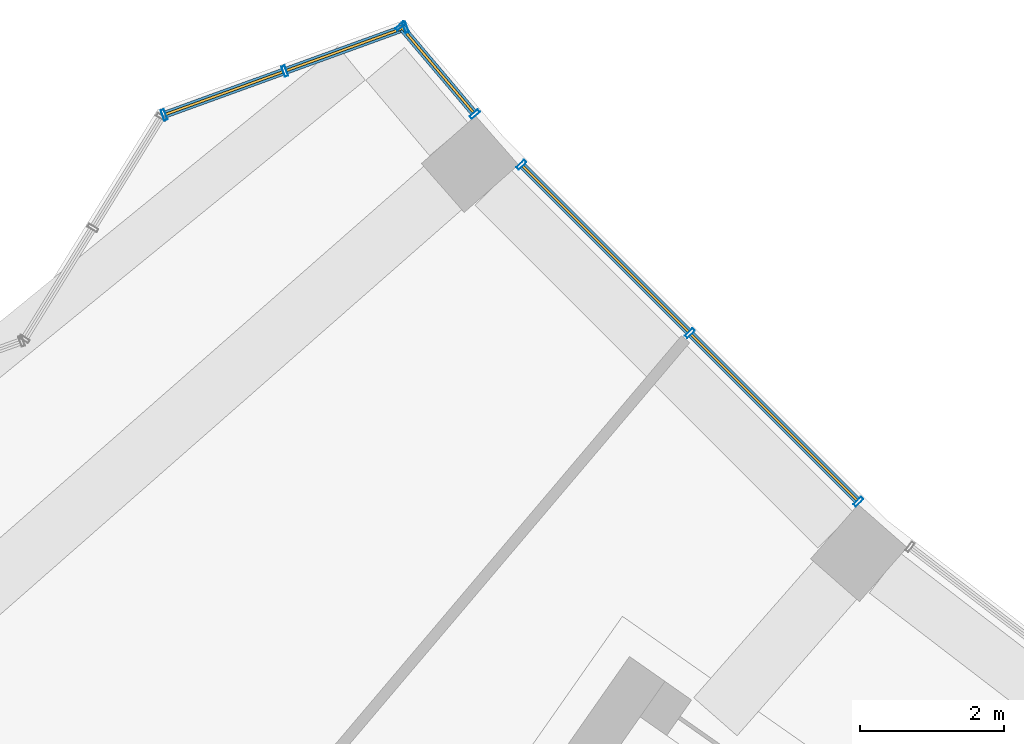
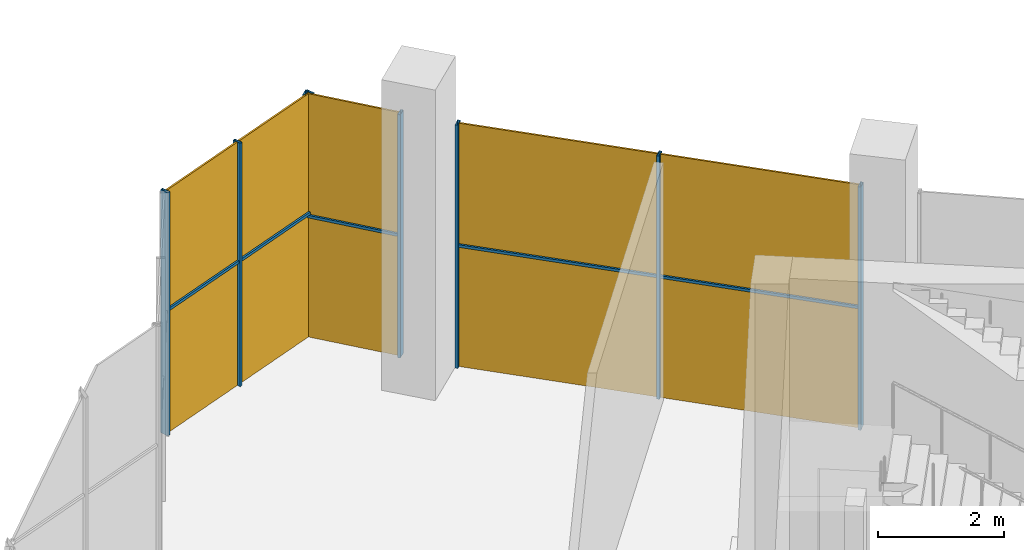
# One storey, part 30 of 41: 13 members, 3 curtain walls.
"""IFC4 building model written with IfcOpenShell, lengths in metres."""

from ifc_helpers import new_model, si_unit, direction, frame, origin, origin_2d, place, context, subcontext, project, spatial, rectangle, hollow_rectangle, extrude, material, material_profile, profile_set, type_object, element, aggregate, save


model = new_model("IFC4")

# Units and contexts
model_context = context("Model", 3, precision=1e-05, world=origin(), true_north=direction((0.0, 1.0)))
body_context = subcontext(model_context, "Body", "Model", "MODEL_VIEW")
ifc_project = project(units=[si_unit("LENGTHUNIT", "METRE"), si_unit("AREAUNIT", "SQUARE_METRE"), si_unit("VOLUMEUNIT", "CUBIC_METRE"), si_unit("PLANEANGLEUNIT", "RADIAN"), si_unit("MASSUNIT", "GRAM", prefix="KILO")], contexts=[model_context])

# Member
ifc_material = material(Name="Steel S355", Category="steel")
ifc_material_profile_1 = material_profile(ifc_material, hollow_rectangle(XDim=0.14990234375, YDim=0.050048828125, WallThickness=0.0048828125, at=origin_2d()))
ifc_profile_set_1 = profile_set([ifc_material_profile_1], Name="Steel S355")
member_type_1 = type_object("IfcMemberType", Name="Mullion RHS 150x50x5 steel S355", PredefinedType="MULLION", material=ifc_profile_set_1)
site_placement = place(None, origin())
building_placement = place(site_placement, origin())
storey_placement = place(building_placement, frame((0.0, 0.0, 284.699951171875)))
member_1_placement = place(storey_placement, frame((-44.7578125, -36.4931640625, 0.0), z_axis=(0.0, 0.0, 1.0), x_axis=(0.763709922042, 0.645559567332, 0.0)))
member_1 = element("IfcMember", 1, at=member_1_placement, type_object=member_type_1, Name="e-cw5-L69-in00/M00", PredefinedType="MULLION", context=body_context, shape_type="SweptSolid", body=[
    extrude(hollow_rectangle(XDim=0.14990234375, YDim=0.050048828125, WallThickness=0.0048828125, at=origin_2d()), origin(), (0.0, 0.0, 1.0), 4.699951171875),
])

member_2_placement = place(storey_placement, frame((-43.7265625, -37.713134765625, 0.0), z_axis=(0.0, 0.0, 1.0), x_axis=(0.763709922042, 0.645559567332, 0.0)))
member_2 = element("IfcMember", 2, at=member_2_placement, type_object=member_type_1, Name="e-cw5-L69-in00/M01", PredefinedType="MULLION", context=body_context, shape_type="SweptSolid", body=[
    extrude(hollow_rectangle(XDim=0.14990234375, YDim=0.050048828125, WallThickness=0.0048828125, at=origin_2d()), origin(), (0.0, 0.0, 1.0), 4.699951171875),
])

member_3_placement = place(storey_placement, frame((-43.08203125, -38.414306640625, 0.0), z_axis=(0.0, 0.0, 1.0), x_axis=(0.707106781187, 0.707106781187, 0.0)))
member_3 = element("IfcMember", 3, at=member_3_placement, type_object=member_type_1, Name="e-cw5-L69-in01/M00", PredefinedType="MULLION", context=body_context, shape_type="SweptSolid", body=[
    extrude(hollow_rectangle(XDim=0.14990234375, YDim=0.050048828125, WallThickness=0.0048828125, at=origin_2d()), origin(), (0.0, 0.0, 1.0), 4.699951171875),
])

member_4_placement = place(storey_placement, frame((-40.748046875, -40.748046875, 0.0), z_axis=(0.0, 0.0, 1.0), x_axis=(0.707106781187, 0.707106781187, 0.0)))
member_4 = element("IfcMember", 4, at=member_4_placement, type_object=member_type_1, Name="e-cw5-L69-in01/M01", PredefinedType="MULLION", context=body_context, shape_type="SweptSolid", body=[
    extrude(hollow_rectangle(XDim=0.14990234375, YDim=0.050048828125, WallThickness=0.0048828125, at=origin_2d()), origin(), (0.0, 0.0, 1.0), 4.699951171875),
])

member_5_placement = place(storey_placement, frame((-38.414306640625, -43.08203125, 0.0), z_axis=(0.0, 0.0, 1.0), x_axis=(0.707106781187, 0.707106781187, 0.0)))
member_5 = element("IfcMember", 5, at=member_5_placement, type_object=member_type_1, Name="e-cw5-L69-in01/M02", PredefinedType="MULLION", context=body_context, shape_type="SweptSolid", body=[
    extrude(hollow_rectangle(XDim=0.14990234375, YDim=0.050048828125, WallThickness=0.0048828125, at=origin_2d()), origin(), (0.0, 0.0, 1.0), 4.699951171875),
])

member_6_placement = place(storey_placement, frame((-44.68701171875, -36.511962890625, 0.0), z_axis=(0.0, 0.0, 1.0), x_axis=(0.340814678258, -0.940130498965, 0.0)))
member_6 = element("IfcMember", 6, at=member_6_placement, type_object=member_type_1, Name="e-cw5-L69-capW0/M00", PredefinedType="MULLION", context=body_context, shape_type="SweptSolid", body=[
    extrude(hollow_rectangle(XDim=0.14990234375, YDim=0.050048828125, WallThickness=0.0048828125, at=origin_2d()), origin(), (0.0, 0.0, 1.0), 4.699951171875),
])

member_7_placement = place(storey_placement, frame((-46.35888671875, -37.1181640625, 0.0), z_axis=(0.0, 0.0, 1.0), x_axis=(0.340814678258, -0.940130498965, 0.0)))
member_7 = element("IfcMember", 7, at=member_7_placement, type_object=member_type_1, Name="e-cw5-L69-capW0/M01", PredefinedType="MULLION", context=body_context, shape_type="SweptSolid", body=[
    extrude(hollow_rectangle(XDim=0.14990234375, YDim=0.050048828125, WallThickness=0.0048828125, at=origin_2d()), origin(), (0.0, 0.0, 1.0), 4.699951171875),
])

member_8_placement = place(storey_placement, frame((-48.031005859375, -37.72412109375, 0.0), z_axis=(0.0, 0.0, 1.0), x_axis=(0.340814678258, -0.940130498965, 0.0)))
member_8 = element("IfcMember", 8, at=member_8_placement, type_object=member_type_1, Name="e-cw5-L69-capW0/M02", PredefinedType="MULLION", context=body_context, shape_type="SweptSolid", body=[
    extrude(hollow_rectangle(XDim=0.14990234375, YDim=0.050048828125, WallThickness=0.0048828125, at=origin_2d()), origin(), (0.0, 0.0, 1.0), 4.699951171875),
])

ifc_material_profile_2 = material_profile(ifc_material, hollow_rectangle(XDim=0.10009765625, YDim=0.050048828125, WallThickness=0.00390625, at=origin_2d()))
ifc_profile_set_2 = profile_set([ifc_material_profile_2], Name="Steel S355")
member_type_2 = type_object("IfcMemberType", Name="Transom RHS 100x50x4 steel S355", PredefinedType="USERDEFINED", material=ifc_profile_set_2)
member_9_placement = place(storey_placement, frame((-44.74169921875, -36.51220703125, 2.35009765625), z_axis=(0.645553198055, -0.76371530591, 0.0), x_axis=(0.76371530591, 0.645553198055, 0.0)))
member_9 = element("IfcMember", 9, at=member_9_placement, type_object=member_type_2, Name="e-cw5-L69-in00/T00", ObjectType="TRANSOM", PredefinedType="USERDEFINED", context=body_context, shape_type="SweptSolid", body=[
    extrude(hollow_rectangle(XDim=0.10009765625, YDim=0.050048828125, WallThickness=0.00390625, at=origin_2d()), origin(), (0.0, 0.0, 1.0), 1.547607421875),
])

member_10_placement = place(storey_placement, frame((-43.064208984375, -38.43212890625, 2.35009765625), z_axis=(0.707106781187, -0.707106781187, 0.0), x_axis=(0.707106781187, 0.707106781187, 0.0)))
member_10 = element("IfcMember", 10, at=member_10_placement, type_object=member_type_2, Name="e-cw5-L69-in01/T00", ObjectType="TRANSOM", PredefinedType="USERDEFINED", context=body_context, shape_type="SweptSolid", body=[
    extrude(hollow_rectangle(XDim=0.10009765625, YDim=0.050048828125, WallThickness=0.00390625, at=origin_2d()), origin(), (0.0, 0.0, 1.0), 3.250244140625),
])

member_11_placement = place(storey_placement, frame((-40.73046875, -40.765869140625, 2.35009765625), z_axis=(0.707106781187, -0.707106781187, 0.0), x_axis=(0.707106781187, 0.707106781187, 0.0)))
member_11 = element("IfcMember", 11, at=member_11_placement, type_object=member_type_2, Name="e-cw5-L69-in01/T01", ObjectType="TRANSOM", PredefinedType="USERDEFINED", context=body_context, shape_type="SweptSolid", body=[
    extrude(hollow_rectangle(XDim=0.10009765625, YDim=0.050048828125, WallThickness=0.00390625, at=origin_2d()), origin(), (0.0, 0.0, 1.0), 3.250244140625),
])

member_12_placement = place(storey_placement, frame((-44.71044921875, -36.5205078125, 2.400146484375), z_axis=(-0.940127013912, -0.340824291552, 0.0), x_axis=(0.340824291552, -0.940127013912, 0.0)))
member_12 = element("IfcMember", 12, at=member_12_placement, type_object=member_type_2, Name="e-cw5-L69-capW0/T00", ObjectType="TRANSOM", PredefinedType="USERDEFINED", context=body_context, shape_type="SweptSolid", body=[
    extrude(hollow_rectangle(XDim=0.10009765625, YDim=0.050048828125, WallThickness=0.00390625, at=origin_2d()), origin(), (0.0, 0.0, 1.0), 1.728515625),
])

member_13_placement = place(storey_placement, frame((-46.382568359375, -37.12646484375, 2.400146484375), z_axis=(-0.94011060345, -0.340869554639, 0.0), x_axis=(0.340869554639, -0.94011060345, 0.0)))
member_13 = element("IfcMember", 13, at=member_13_placement, type_object=member_type_2, Name="e-cw5-L69-capW0/T01", ObjectType="TRANSOM", PredefinedType="USERDEFINED", context=body_context, shape_type="SweptSolid", body=[
    extrude(hollow_rectangle(XDim=0.10009765625, YDim=0.050048828125, WallThickness=0.00390625, at=origin_2d()), origin(), (0.0, 0.0, 1.0), 1.728271484375),
])

# Site, building, storey
site = spatial("IfcSite", under=ifc_project, at=site_placement, CompositionType="ELEMENT")
building = spatial("IfcBuilding", under=site, at=building_placement, Name="Qamariyya Broadcast Tower", CompositionType="ELEMENT")
storey = spatial("IfcBuildingStorey", under=building, at=storey_placement, Name="L69", CompositionType="ELEMENT", Elevation=284.699951171875)

# Curtain wall
curtain_wall_type = type_object("IfcCurtainWallType", Name="Observation gallery all-glass wall, steel mullions", PredefinedType="NOTDEFINED", material=ifc_material)
curtain_wall_1_placement = place(storey_placement, origin())
curtain_wall_1 = element("IfcCurtainWall", 14, at=curtain_wall_1_placement, inside=storey, type_object=curtain_wall_type, Name="e-cw5-L69-in00", PredefinedType="NOTDEFINED", context=body_context, shape_type="SweptSolid", body=[
    extrude(rectangle(XDim=1.547607421875, YDim=0.031982421875, at=origin_2d()), frame((-44.2421875, -37.10302734375, 0.0), x_axis=(0.645503705042, -0.76375713861, 0.0)), (0.0, 0.0, 1.0), 2.324951171875),
    extrude(rectangle(XDim=1.547607421875, YDim=0.031982421875, at=origin_2d()), frame((-44.2421875, -37.10302734375, 2.375), x_axis=(0.645503705042, -0.76375713861, 0.0)), (0.0, 0.0, 1.0), 2.324951171875),
])

aggregate(curtain_wall_1, [member_1, member_2, member_9])

curtain_wall_2_placement = place(storey_placement, origin())
curtain_wall_2 = element("IfcCurtainWall", 15, at=curtain_wall_2_placement, inside=storey, type_object=curtain_wall_type, Name="e-cw5-L69-in01", PredefinedType="NOTDEFINED", context=body_context, shape_type="SweptSolid", body=[
    extrude(rectangle(XDim=3.25048828125, YDim=0.031982421875, at=origin_2d()), frame((-41.9150390625, -39.581298828125, 0.0), x_axis=(0.707106781187, -0.707106781187, 0.0)), (0.0, 0.0, 1.0), 2.324951171875),
    extrude(rectangle(XDim=3.25048828125, YDim=0.031982421875, at=origin_2d()), frame((-41.9150390625, -39.581298828125, 2.375), x_axis=(0.707106781187, -0.707106781187, 0.0)), (0.0, 0.0, 1.0), 2.324951171875),
    extrude(rectangle(XDim=3.25048828125, YDim=0.031982421875, at=origin_2d()), frame((-39.581298828125, -41.9150390625, 0.0), x_axis=(0.707106781187, -0.707106781187, 0.0)), (0.0, 0.0, 1.0), 2.324951171875),
    extrude(rectangle(XDim=3.25048828125, YDim=0.031982421875, at=origin_2d()), frame((-39.581298828125, -41.9150390625, 2.375), x_axis=(0.707106781187, -0.707106781187, 0.0)), (0.0, 0.0, 1.0), 2.324951171875),
])

aggregate(curtain_wall_2, [member_3, member_4, member_5, member_10, member_11])

curtain_wall_3_placement = place(storey_placement, origin())
curtain_wall_3 = element("IfcCurtainWall", 16, at=curtain_wall_3_placement, inside=storey, type_object=curtain_wall_type, Name="e-cw5-L69-capW0", PredefinedType="NOTDEFINED", context=body_context, shape_type="SweptSolid", body=[
    extrude(rectangle(XDim=1.728515625, YDim=0.031982421875, at=origin_2d()), frame((-45.52294921875, -36.81494140625, 0.0), x_axis=(-0.940130914306, -0.340813532546, 0.0)), (0.0, 0.0, 1.0), 2.375),
    extrude(rectangle(XDim=1.728515625, YDim=0.031982421875, at=origin_2d()), frame((-45.52294921875, -36.81494140625, 2.425048828125), x_axis=(-0.940130914306, -0.340813532546, 0.0)), (0.0, 0.0, 1.0), 2.27490234375),
    extrude(rectangle(XDim=1.728515625, YDim=0.031982421875, at=origin_2d()), frame((-47.195068359375, -37.421142578125, 0.0), x_axis=(-0.940130914306, -0.340813532546, 0.0)), (0.0, 0.0, 1.0), 2.375),
    extrude(rectangle(XDim=1.728515625, YDim=0.031982421875, at=origin_2d()), frame((-47.195068359375, -37.421142578125, 2.425048828125), x_axis=(-0.940130914306, -0.340813532546, 0.0)), (0.0, 0.0, 1.0), 2.27490234375),
])

aggregate(curtain_wall_3, [member_6, member_7, member_8, member_12, member_13])

save(model, "model.ifc")
